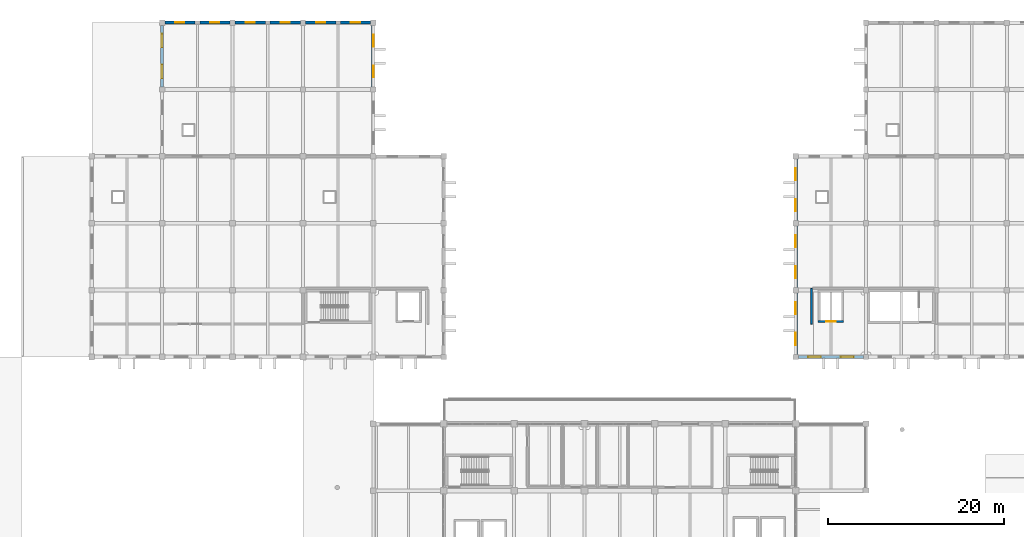
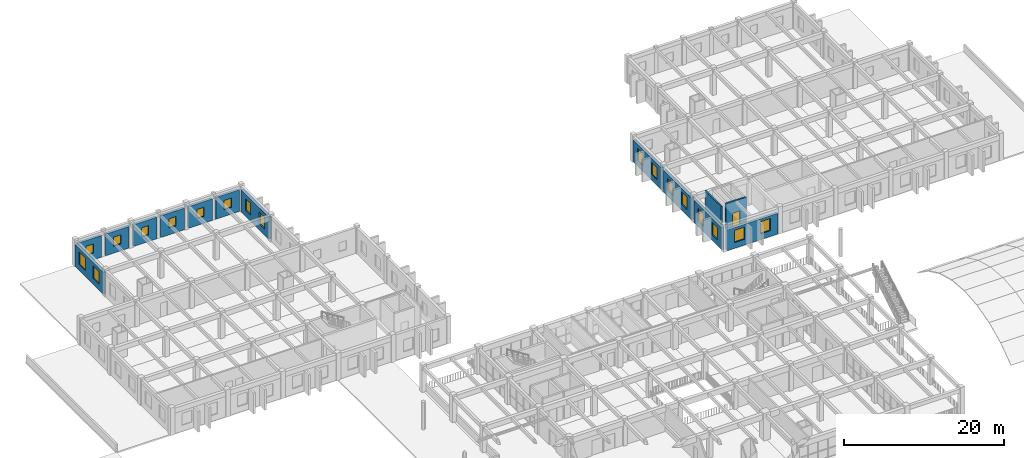
# One storey, part 40 of 63: 18 windows, 14 walls, 1 door, 19 openings.
"""IFC4 building model written with IfcOpenShell, lengths in metres."""

from ifc_helpers import new_model, si_unit, direction, frame, frame_2d, origin, place, context, subcontext, project, spatial, rectangle, extrude, material, layer, layer_set, type_object, element, fill, save


model = new_model("IFC4")

# Units and contexts
model_context = context("Model", 3, precision=1e-05, world=origin(), true_north=direction((0.0, 1.0)))
body_context = subcontext(model_context, "Body", "Model", "MODEL_VIEW")
ifc_project = project(units=[si_unit("LENGTHUNIT", "METRE"), si_unit("AREAUNIT", "SQUARE_METRE"), si_unit("VOLUMEUNIT", "CUBIC_METRE"), si_unit("PLANEANGLEUNIT", "RADIAN"), si_unit("MASSUNIT", "GRAM", prefix="KILO")], contexts=[model_context])

# Site, building, storey
site_placement = place(None, origin())
site = spatial("IfcSite", under=ifc_project, at=site_placement, CompositionType="ELEMENT")
building_placement = place(site_placement, origin())
building = spatial("IfcBuilding", under=site, at=building_placement, Name="Zantavel Square City Hall", CompositionType="ELEMENT")
storey_placement = place(building_placement, frame((0.0, 0.0, 14.699951171875)))
storey = spatial("IfcBuildingStorey", under=building, at=storey_placement, Name="L04", CompositionType="ELEMENT", Elevation=14.699951171875)

# Wall, openings, windows
ifc_material_1 = material(Name="Cantera volcanic tuff stone", Category="masonry")
ifc_layer_1 = layer(ifc_material_1, 0.360107421875, Name="Cantera volcanic tuff stone")
ifc_layer_set_1 = layer_set([ifc_layer_1], Name="Cantera volcanic tuff stone")
wall_type_1 = type_object("IfcWallType", Name="Courtyard Cantera Facade Wall 360mm", PredefinedType="STANDARD", material=ifc_layer_set_1)
wall_1_placement = place(storey_placement, frame((32.0, 106.699951171875, 0.0), z_axis=(0.0, 0.0, 1.0), x_axis=(0.0, 1.0, 0.0)))
wall_1 = element("IfcWall", 1, at=wall_1_placement, inside=storey, type_object=wall_type_1, Name="L04 Exterior Wall EW-L04-022", PredefinedType="STANDARD", context=body_context, shape_type="SweptSolid", body=[
    extrude(rectangle(XDim=7.0, YDim=0.360107421875, at=frame_2d((3.5, 0.0))), origin(), (0.0, 0.0, 1.0), 3.3701171875),
])
opening_1_placement = place(wall_1_placement, frame((0.97509765625, 0.0, 0.89990234375)))
opening_1 = element("IfcOpeningElement", 2, at=opening_1_placement, cuts=wall_1, Name="Opening W-428", PredefinedType="OPENING", context=body_context, shape_type="SweptSolid", body=[
    extrude(rectangle(XDim=1.550048828125, YDim=1.949951171875, at=frame_2d((0.77490234375, 0.97509765625))), frame((0.0, 0.18994140625, 0.0), z_axis=(0.0, -1.0, 0.0), x_axis=(1.0, 0.0, 0.0)), (0.0, 0.0, 1.0), 0.380126953125),
])
opening_2_placement = place(wall_1_placement, frame((4.47509765625, 0.0, 0.89990234375)))
opening_2 = element("IfcOpeningElement", 3, at=opening_2_placement, cuts=wall_1, Name="Opening W-429", PredefinedType="OPENING", context=body_context, shape_type="SweptSolid", body=[
    extrude(rectangle(XDim=1.550048828125, YDim=1.949951171875, at=frame_2d((0.77490234375, 0.97509765625))), frame((0.0, 0.18994140625, 0.0), z_axis=(0.0, -1.0, 0.0), x_axis=(1.0, 0.0, 0.0)), (0.0, 0.0, 1.0), 0.380126953125),
])
ifc_material_2 = material(Name="Tempered safety glass low-E double glazing", Category="glass")
window_type_1 = type_object("IfcWindowType", Name="Window Committee Suite 1550x1950", PartitioningType="DOUBLE_PANEL_VERTICAL", PredefinedType="WINDOW", material=ifc_material_2)
window_1_placement = place(opening_1_placement, origin())
window_1 = element("IfcWindow", 4, at=window_1_placement, inside=storey, type_object=window_type_1, Name="L04 Window W-428", OverallHeight=1.949951171875, OverallWidth=1.550048828125, PartitioningType="DOUBLE_PANEL_VERTICAL", PredefinedType="WINDOW", context=body_context, shape_type="SweptSolid", body=[
    extrude(rectangle(XDim=1.550048828125, YDim=1.949951171875, at=frame_2d((0.77490234375, 0.97509765625))), frame((0.0, 0.030029296875, 0.0), z_axis=(0.0, -1.0, 0.0), x_axis=(1.0, 0.0, 0.0)), (0.0, 0.0, 1.0), 0.06005859375),
])
fill(opening_1, window_1)
window_2_placement = place(opening_2_placement, origin())
window_2 = element("IfcWindow", 5, at=window_2_placement, inside=storey, type_object=window_type_1, Name="L04 Window W-429", OverallHeight=1.949951171875, OverallWidth=1.550048828125, PartitioningType="DOUBLE_PANEL_VERTICAL", PredefinedType="WINDOW", context=body_context, shape_type="SweptSolid", body=[
    extrude(rectangle(XDim=1.550048828125, YDim=1.949951171875, at=frame_2d((0.77490234375, 0.97509765625))), frame((0.0, 0.030029296875, 0.0), z_axis=(0.0, -1.0, 0.0), x_axis=(1.0, 0.0, 0.0)), (0.0, 0.0, 1.0), 0.06005859375),
])
fill(opening_2, window_2)

wall_2_placement = place(storey_placement, frame((56.0, 113.699951171875, 0.0), z_axis=(0.0, 0.0, 1.0), x_axis=(0.0, -1.0, 0.0)))
wall_2 = element("IfcWall", 6, at=wall_2_placement, inside=storey, type_object=wall_type_1, Name="L04 Exterior Wall EW-L04-029", PredefinedType="STANDARD", context=body_context, shape_type="SweptSolid", body=[
    extrude(rectangle(XDim=7.0, YDim=0.360107421875, at=frame_2d((3.5, 0.0))), origin(), (0.0, 0.0, 1.0), 3.3701171875),
])
opening_3_placement = place(wall_2_placement, frame((1.074951171875, 0.0, 0.89990234375)))
opening_3 = element("IfcOpeningElement", 7, at=opening_3_placement, cuts=wall_2, Name="Opening W-436", PredefinedType="OPENING", context=body_context, shape_type="SweptSolid", body=[
    extrude(rectangle(XDim=1.35009765625, YDim=1.800048828125, at=frame_2d((0.675048828125, 0.89990234375))), frame((0.0, 0.18994140625, 0.0), z_axis=(0.0, -1.0, 0.0), x_axis=(1.0, 0.0, 0.0)), (0.0, 0.0, 1.0), 0.380126953125),
])
opening_4_placement = place(wall_2_placement, frame((4.574951171875, 0.0, 0.89990234375)))
opening_4 = element("IfcOpeningElement", 8, at=opening_4_placement, cuts=wall_2, Name="Opening W-437", PredefinedType="OPENING", context=body_context, shape_type="SweptSolid", body=[
    extrude(rectangle(XDim=1.35009765625, YDim=1.800048828125, at=frame_2d((0.675048828125, 0.89990234375))), frame((0.0, 0.18994140625, 0.0), z_axis=(0.0, -1.0, 0.0), x_axis=(1.0, 0.0, 0.0)), (0.0, 0.0, 1.0), 0.380126953125),
])
window_type_2 = type_object("IfcWindowType", Name="Window Comptroller East 1350x1800", PartitioningType="DOUBLE_PANEL_HORIZONTAL", PredefinedType="WINDOW", material=ifc_material_2)
window_3_placement = place(opening_3_placement, origin())
window_3 = element("IfcWindow", 9, at=window_3_placement, inside=storey, type_object=window_type_2, Name="L04 Window W-436", OverallHeight=1.800048828125, OverallWidth=1.35009765625, PartitioningType="DOUBLE_PANEL_HORIZONTAL", PredefinedType="WINDOW", context=body_context, shape_type="SweptSolid", body=[
    extrude(rectangle(XDim=1.35009765625, YDim=1.800048828125, at=frame_2d((0.675048828125, 0.89990234375))), frame((0.0, 0.030029296875, 0.0), z_axis=(0.0, -1.0, 0.0), x_axis=(1.0, 0.0, 0.0)), (0.0, 0.0, 1.0), 0.06005859375),
])
fill(opening_3, window_3)
window_4_placement = place(opening_4_placement, origin())
window_4 = element("IfcWindow", 10, at=window_4_placement, inside=storey, type_object=window_type_2, Name="L04 Window W-437", OverallHeight=1.800048828125, OverallWidth=1.35009765625, PartitioningType="DOUBLE_PANEL_HORIZONTAL", PredefinedType="WINDOW", context=body_context, shape_type="SweptSolid", body=[
    extrude(rectangle(XDim=1.35009765625, YDim=1.800048828125, at=frame_2d((0.675048828125, 0.89990234375))), frame((0.0, 0.030029296875, 0.0), z_axis=(0.0, -1.0, 0.0), x_axis=(1.0, 0.0, 0.0)), (0.0, 0.0, 1.0), 0.06005859375),
])
fill(opening_4, window_4)

wall_3_placement = place(storey_placement, frame((111.699951171875, 76.0, 0.0), z_axis=(0.0, 0.0, 1.0), x_axis=(-1.0, 0.0, 0.0)))
wall_3 = element("IfcWall", 11, at=wall_3_placement, inside=storey, type_object=wall_type_1, Name="L04 Exterior Wall EW-L04-061", PredefinedType="STANDARD", context=body_context, shape_type="SweptSolid", body=[
    extrude(rectangle(XDim=7.39990234375, YDim=0.360107421875, at=frame_2d((3.699951171875, 0.0))), origin(), (0.0, 0.0, 1.0), 3.170166015625),
])
opening_5_placement = place(wall_3_placement, frame((1.125, 0.0, 0.89990234375)))
opening_5 = element("IfcOpeningElement", 12, at=opening_5_placement, cuts=wall_3, Name="Opening W-496", PredefinedType="OPENING", context=body_context, shape_type="SweptSolid", body=[
    extrude(rectangle(XDim=1.449951171875, YDim=1.85009765625, at=frame_2d((0.72509765625, 0.925048828125))), frame((0.0, 0.18994140625, 0.0), z_axis=(0.0, -1.0, 0.0), x_axis=(1.0, 0.0, 0.0)), (0.0, 0.0, 1.0), 0.380126953125),
])
opening_6_placement = place(wall_3_placement, frame((4.824951171875, 0.0, 0.89990234375)))
opening_6 = element("IfcOpeningElement", 13, at=opening_6_placement, cuts=wall_3, Name="Opening W-497", PredefinedType="OPENING", context=body_context, shape_type="SweptSolid", body=[
    extrude(rectangle(XDim=1.449951171875, YDim=1.85009765625, at=frame_2d((0.72509765625, 0.925048828125))), frame((0.0, 0.18994140625, 0.0), z_axis=(0.0, -1.0, 0.0), x_axis=(1.0, 0.0, 0.0)), (0.0, 0.0, 1.0), 0.380126953125),
])
window_type_3 = type_object("IfcWindowType", Name="Window Secretariat South 1450x1850", PartitioningType="DOUBLE_PANEL_VERTICAL", PredefinedType="WINDOW", material=ifc_material_2)
window_5_placement = place(opening_5_placement, origin())
window_5 = element("IfcWindow", 14, at=window_5_placement, inside=storey, type_object=window_type_3, Name="L04 Window W-496", OverallHeight=1.85009765625, OverallWidth=1.449951171875, PartitioningType="DOUBLE_PANEL_VERTICAL", PredefinedType="WINDOW", context=body_context, shape_type="SweptSolid", body=[
    extrude(rectangle(XDim=1.449951171875, YDim=1.85009765625, at=frame_2d((0.72509765625, 0.925048828125))), frame((0.0, 0.030029296875, 0.0), z_axis=(0.0, -1.0, 0.0), x_axis=(1.0, 0.0, 0.0)), (0.0, 0.0, 1.0), 0.06005859375),
])
fill(opening_5, window_5)
window_6_placement = place(opening_6_placement, origin())
window_6 = element("IfcWindow", 15, at=window_6_placement, inside=storey, type_object=window_type_3, Name="L04 Window W-497", OverallHeight=1.85009765625, OverallWidth=1.449951171875, PartitioningType="DOUBLE_PANEL_VERTICAL", PredefinedType="WINDOW", context=body_context, shape_type="SweptSolid", body=[
    extrude(rectangle(XDim=1.449951171875, YDim=1.85009765625, at=frame_2d((0.72509765625, 0.925048828125))), frame((0.0, 0.030029296875, 0.0), z_axis=(0.0, -1.0, 0.0), x_axis=(1.0, 0.0, 0.0)), (0.0, 0.0, 1.0), 0.06005859375),
])
fill(opening_6, window_6)

wall_4_placement = place(storey_placement, frame((104.0, 76.300048828125, 0.0), z_axis=(0.0, 0.0, 1.0), x_axis=(0.0, 1.0, 0.0)))
wall_4 = element("IfcWall", 16, at=wall_4_placement, inside=storey, type_object=wall_type_1, Name="L04 Exterior Wall EW-L04-062", PredefinedType="STANDARD", context=body_context, shape_type="SweptSolid", body=[
    extrude(rectangle(XDim=7.0, YDim=0.360107421875, at=frame_2d((3.5, 0.0))), origin(), (0.0, 0.0, 1.0), 3.3701171875),
])
opening_7_placement = place(wall_4_placement, frame((1.06005859375, 0.0, 0.89990234375)))
opening_7 = element("IfcOpeningElement", 17, at=opening_7_placement, cuts=wall_4, Name="Opening W-498", PredefinedType="OPENING", context=body_context, shape_type="SweptSolid", body=[
    extrude(rectangle(XDim=1.3798828125, YDim=1.8798828125, at=frame_2d((0.68994140625, 0.93994140625))), frame((0.0, 0.18994140625, 0.0), z_axis=(0.0, -1.0, 0.0), x_axis=(1.0, 0.0, 0.0)), (0.0, 0.0, 1.0), 0.380126953125),
])
opening_8_placement = place(wall_4_placement, frame((4.56005859375, 0.0, 0.89990234375)))
opening_8 = element("IfcOpeningElement", 18, at=opening_8_placement, cuts=wall_4, Name="Opening W-499", PredefinedType="OPENING", context=body_context, shape_type="SweptSolid", body=[
    extrude(rectangle(XDim=1.3798828125, YDim=1.8798828125, at=frame_2d((0.68994140625, 0.93994140625))), frame((0.0, 0.18994140625, 0.0), z_axis=(0.0, -1.0, 0.0), x_axis=(1.0, 0.0, 0.0)), (0.0, 0.0, 1.0), 0.380126953125),
])
window_type_4 = type_object("IfcWindowType", Name="Window Legal Counsel 1380x1880", PartitioningType="DOUBLE_PANEL_VERTICAL", PredefinedType="WINDOW", material=ifc_material_2)
window_7_placement = place(opening_7_placement, origin())
window_7 = element("IfcWindow", 19, at=window_7_placement, inside=storey, type_object=window_type_4, Name="L04 Window W-498", OverallHeight=1.8798828125, OverallWidth=1.3798828125, PartitioningType="DOUBLE_PANEL_VERTICAL", PredefinedType="WINDOW", context=body_context, shape_type="SweptSolid", body=[
    extrude(rectangle(XDim=1.3798828125, YDim=1.8798828125, at=frame_2d((0.68994140625, 0.93994140625))), frame((0.0, 0.030029296875, 0.0), z_axis=(0.0, -1.0, 0.0), x_axis=(1.0, 0.0, 0.0)), (0.0, 0.0, 1.0), 0.06005859375),
])
fill(opening_7, window_7)
window_8_placement = place(opening_8_placement, origin())
window_8 = element("IfcWindow", 20, at=window_8_placement, inside=storey, type_object=window_type_4, Name="L04 Window W-499", OverallHeight=1.8798828125, OverallWidth=1.3798828125, PartitioningType="DOUBLE_PANEL_VERTICAL", PredefinedType="WINDOW", context=body_context, shape_type="SweptSolid", body=[
    extrude(rectangle(XDim=1.3798828125, YDim=1.8798828125, at=frame_2d((0.68994140625, 0.93994140625))), frame((0.0, 0.030029296875, 0.0), z_axis=(0.0, -1.0, 0.0), x_axis=(1.0, 0.0, 0.0)), (0.0, 0.0, 1.0), 0.06005859375),
])
fill(opening_8, window_8)

wall_5_placement = place(storey_placement, frame((104.0, 83.89990234375, 0.0), z_axis=(0.0, 0.0, 1.0), x_axis=(0.0, 1.0, 0.0)))
wall_5 = element("IfcWall", 21, at=wall_5_placement, inside=storey, type_object=wall_type_1, Name="L04 Exterior Wall EW-L04-063", PredefinedType="STANDARD", context=body_context, shape_type="SweptSolid", body=[
    extrude(rectangle(XDim=7.0, YDim=0.360107421875, at=frame_2d((3.5, 0.0))), origin(), (0.0, 0.0, 1.0), 3.3701171875),
])
opening_9_placement = place(wall_5_placement, frame((1.06005859375, 0.0, 0.89990234375)))
opening_9 = element("IfcOpeningElement", 22, at=opening_9_placement, cuts=wall_5, Name="Opening W-500", PredefinedType="OPENING", context=body_context, shape_type="SweptSolid", body=[
    extrude(rectangle(XDim=1.3798828125, YDim=1.8798828125, at=frame_2d((0.68994140625, 0.93994140625))), frame((0.0, 0.18994140625, 0.0), z_axis=(0.0, -1.0, 0.0), x_axis=(1.0, 0.0, 0.0)), (0.0, 0.0, 1.0), 0.380126953125),
])
opening_10_placement = place(wall_5_placement, frame((4.56005859375, 0.0, 0.89990234375)))
opening_10 = element("IfcOpeningElement", 23, at=opening_10_placement, cuts=wall_5, Name="Opening W-501", PredefinedType="OPENING", context=body_context, shape_type="SweptSolid", body=[
    extrude(rectangle(XDim=1.3798828125, YDim=1.8798828125, at=frame_2d((0.68994140625, 0.93994140625))), frame((0.0, 0.18994140625, 0.0), z_axis=(0.0, -1.0, 0.0), x_axis=(1.0, 0.0, 0.0)), (0.0, 0.0, 1.0), 0.380126953125),
])
window_9_placement = place(opening_9_placement, origin())
window_9 = element("IfcWindow", 24, at=window_9_placement, inside=storey, type_object=window_type_4, Name="L04 Window W-500", OverallHeight=1.8798828125, OverallWidth=1.3798828125, PartitioningType="DOUBLE_PANEL_VERTICAL", PredefinedType="WINDOW", context=body_context, shape_type="SweptSolid", body=[
    extrude(rectangle(XDim=1.3798828125, YDim=1.8798828125, at=frame_2d((0.68994140625, 0.93994140625))), frame((0.0, 0.030029296875, 0.0), z_axis=(0.0, -1.0, 0.0), x_axis=(1.0, 0.0, 0.0)), (0.0, 0.0, 1.0), 0.06005859375),
])
fill(opening_9, window_9)
window_10_placement = place(opening_10_placement, origin())
window_10 = element("IfcWindow", 25, at=window_10_placement, inside=storey, type_object=window_type_4, Name="L04 Window W-501", OverallHeight=1.8798828125, OverallWidth=1.3798828125, PartitioningType="DOUBLE_PANEL_VERTICAL", PredefinedType="WINDOW", context=body_context, shape_type="SweptSolid", body=[
    extrude(rectangle(XDim=1.3798828125, YDim=1.8798828125, at=frame_2d((0.68994140625, 0.93994140625))), frame((0.0, 0.030029296875, 0.0), z_axis=(0.0, -1.0, 0.0), x_axis=(1.0, 0.0, 0.0)), (0.0, 0.0, 1.0), 0.06005859375),
])
fill(opening_10, window_10)

wall_6_placement = place(storey_placement, frame((104.0, 91.5, 0.0), z_axis=(0.0, 0.0, 1.0), x_axis=(0.0, 1.0, 0.0)))
wall_6 = element("IfcWall", 26, at=wall_6_placement, inside=storey, type_object=wall_type_1, Name="L04 Exterior Wall EW-L04-064", PredefinedType="STANDARD", context=body_context, shape_type="SweptSolid", body=[
    extrude(rectangle(XDim=7.0, YDim=0.360107421875, at=frame_2d((3.5, 0.0))), origin(), (0.0, 0.0, 1.0), 3.3701171875),
])
opening_11_placement = place(wall_6_placement, frame((1.06005859375, 0.0, 0.89990234375)))
opening_11 = element("IfcOpeningElement", 27, at=opening_11_placement, cuts=wall_6, Name="Opening W-502", PredefinedType="OPENING", context=body_context, shape_type="SweptSolid", body=[
    extrude(rectangle(XDim=1.3798828125, YDim=1.8798828125, at=frame_2d((0.68994140625, 0.93994140625))), frame((0.0, 0.18994140625, 0.0), z_axis=(0.0, -1.0, 0.0), x_axis=(1.0, 0.0, 0.0)), (0.0, 0.0, 1.0), 0.380126953125),
])
opening_12_placement = place(wall_6_placement, frame((4.56005859375, 0.0, 0.89990234375)))
opening_12 = element("IfcOpeningElement", 28, at=opening_12_placement, cuts=wall_6, Name="Opening W-503", PredefinedType="OPENING", context=body_context, shape_type="SweptSolid", body=[
    extrude(rectangle(XDim=1.3798828125, YDim=1.8798828125, at=frame_2d((0.68994140625, 0.93994140625))), frame((0.0, 0.18994140625, 0.0), z_axis=(0.0, -1.0, 0.0), x_axis=(1.0, 0.0, 0.0)), (0.0, 0.0, 1.0), 0.380126953125),
])
window_11_placement = place(opening_11_placement, origin())
window_11 = element("IfcWindow", 29, at=window_11_placement, inside=storey, type_object=window_type_4, Name="L04 Window W-502", OverallHeight=1.8798828125, OverallWidth=1.3798828125, PartitioningType="DOUBLE_PANEL_VERTICAL", PredefinedType="WINDOW", context=body_context, shape_type="SweptSolid", body=[
    extrude(rectangle(XDim=1.3798828125, YDim=1.8798828125, at=frame_2d((0.68994140625, 0.93994140625))), frame((0.0, 0.030029296875, 0.0), z_axis=(0.0, -1.0, 0.0), x_axis=(1.0, 0.0, 0.0)), (0.0, 0.0, 1.0), 0.06005859375),
])
fill(opening_11, window_11)
window_12_placement = place(opening_12_placement, origin())
window_12 = element("IfcWindow", 30, at=window_12_placement, inside=storey, type_object=window_type_4, Name="L04 Window W-503", OverallHeight=1.8798828125, OverallWidth=1.3798828125, PartitioningType="DOUBLE_PANEL_VERTICAL", PredefinedType="WINDOW", context=body_context, shape_type="SweptSolid", body=[
    extrude(rectangle(XDim=1.3798828125, YDim=1.8798828125, at=frame_2d((0.68994140625, 0.93994140625))), frame((0.0, 0.030029296875, 0.0), z_axis=(0.0, -1.0, 0.0), x_axis=(1.0, 0.0, 0.0)), (0.0, 0.0, 1.0), 0.06005859375),
])
fill(opening_12, window_12)

# Wall
ifc_layer_2 = layer(ifc_material_1, 0.199951171875, Name="Cantera volcanic tuff stone")
ifc_layer_set_2 = layer_set([ifc_layer_2], Name="Cantera volcanic tuff stone")
wall_type_2 = type_object("IfcWallType", Name="Exit Corridor Rated Wall 200mm", PredefinedType="STANDARD", material=ifc_layer_set_2)
wall_7_placement = place(storey_placement, frame((105.800048828125, 79.75, 0.0), z_axis=(0.0, 0.0, 1.0), x_axis=(0.0, 1.0, 0.0)))
element("IfcWall", 31, at=wall_7_placement, inside=storey, type_object=wall_type_2, Name="L04 Interior Wall IW-L04-0302", PredefinedType="STANDARD", context=body_context, shape_type="SweptSolid", body=[
    extrude(rectangle(XDim=4.050048828125, YDim=0.199951171875, at=frame_2d((2.02490234375, 0.0))), origin(), (0.0, 0.0, 1.0), 3.929931640625),
])

# Wall, opening, door
ifc_material_3 = material(Name="Concrete C40/50", Category="concrete")
ifc_layer_3 = layer(ifc_material_3, 0.25, Name="Concrete C40/50")
ifc_layer_set_3 = layer_set([ifc_layer_3], Name="Concrete C40/50")
wall_type_3 = type_object("IfcWallType", Name="Lift Shaft Wall RC 250mm C40/50", PredefinedType="SHEAR", material=ifc_layer_set_3)
wall_8_placement = place(storey_placement, frame((109.449951171875, 80.02490234375, 0.0), z_axis=(0.0, 0.0, 1.0), x_axis=(-1.0, 0.0, 0.0)))
wall_8 = element("IfcWall", 32, at=wall_8_placement, inside=storey, type_object=wall_type_3, Name="L04 Lift LF06 Shaft Wall South", PredefinedType="SHEAR", context=body_context, shape_type="SweptSolid", body=[
    extrude(rectangle(XDim=2.89990234375, YDim=0.25, at=frame_2d((1.449951171875, 0.0))), origin(), (0.0, 0.0, 1.0), 3.929931640625),
])
opening_13_placement = place(wall_8_placement, frame((0.89990234375, 0.0, 0.0)))
opening_13 = element("IfcOpeningElement", 33, at=opening_13_placement, cuts=wall_8, Name="Opening LD-LF06-L04", PredefinedType="OPENING", context=body_context, shape_type="SweptSolid", body=[
    extrude(rectangle(XDim=1.10009765625, YDim=2.14990234375, at=frame_2d((0.550048828125, 1.074951171875))), frame((0.0, 0.135009765625, 0.0), z_axis=(0.0, -1.0, 0.0), x_axis=(1.0, 0.0, 0.0)), (0.0, 0.0, 1.0), 0.27001953125),
])
ifc_material_4 = material(Name="Stainless steel 316", Category="steel")
door_type = type_object("IfcDoorType", Name="Lift Landing Sliding Door 1100x2150 FD90S", OperationType="NOTDEFINED", PredefinedType="DOOR", material=ifc_material_4)
door_placement = place(opening_13_placement, origin())
door = element("IfcDoor", 34, at=door_placement, inside=storey, type_object=door_type, Name="L04 Lift LF06 Sliding Landing Door", OperationType="DOUBLE_DOOR_SLIDING", OverallHeight=2.14990234375, OverallWidth=1.10009765625, PredefinedType="DOOR", context=body_context, shape_type="SweptSolid", body=[
    extrude(rectangle(XDim=1.10009765625, YDim=2.14990234375, at=frame_2d((0.550048828125, 1.074951171875))), frame((0.0, 0.02490234375, 0.0), z_axis=(0.0, -1.0, 0.0), x_axis=(1.0, 0.0, 0.0)), (0.0, 0.0, 1.0), 0.050048828125),
])
fill(opening_13, door)

# Wall, opening, window
ifc_layer_4 = layer(ifc_material_1, 0.340087890625, Name="Cantera volcanic tuff stone")
ifc_layer_set_4 = layer_set([ifc_layer_4], Name="Cantera volcanic tuff stone")
wall_type_4 = type_object("IfcWallType", Name="North Insulated Cantera Wall 340mm", PredefinedType="STANDARD", material=ifc_layer_set_4)
wall_9_placement = place(storey_placement, frame((32.300048828125, 114.0, 0.0), z_axis=(0.0, 0.0, 1.0), x_axis=(1.0, 0.0, 0.0)))
wall_9 = element("IfcWall", 35, at=wall_9_placement, inside=storey, type_object=wall_type_4, Name="L04 Exterior Wall EW-L04-023", PredefinedType="STANDARD", context=body_context, shape_type="SweptSolid", body=[
    extrude(rectangle(XDim=3.425048828125, YDim=0.340087890625, at=frame_2d((1.71240234375, 0.0))), origin(), (0.0, 0.0, 1.0), 3.320068359375),
])
opening_14_placement = place(wall_9_placement, frame((1.1875, 0.0, 1.050048828125)))
opening_14 = element("IfcOpeningElement", 36, at=opening_14_placement, cuts=wall_9, Name="Opening W-430", PredefinedType="OPENING", context=body_context, shape_type="SweptSolid", body=[
    extrude(rectangle(XDim=1.050048828125, YDim=1.39990234375, at=frame_2d((0.52490234375, 0.699951171875))), frame((0.0, 0.179931640625, 0.0), z_axis=(0.0, -1.0, 0.0), x_axis=(1.0, 0.0, 0.0)), (0.0, 0.0, 1.0), 0.360107421875),
])
window_type_5 = type_object("IfcWindowType", Name="Window C4 Command North 1050x1400", PartitioningType="SINGLE_PANEL", PredefinedType="WINDOW", material=ifc_material_2)
window_13_placement = place(opening_14_placement, origin())
window_13 = element("IfcWindow", 37, at=window_13_placement, inside=storey, type_object=window_type_5, Name="L04 Window W-430", OverallHeight=1.39990234375, OverallWidth=1.050048828125, PartitioningType="SINGLE_PANEL", PredefinedType="WINDOW", context=body_context, shape_type="SweptSolid", body=[
    extrude(rectangle(XDim=1.050048828125, YDim=1.39990234375, at=frame_2d((0.52490234375, 0.699951171875))), frame((0.0, 0.030029296875, 0.0), z_axis=(0.0, -1.0, 0.0), x_axis=(1.0, 0.0, 0.0)), (0.0, 0.0, 1.0), 0.06005859375),
])
fill(opening_14, window_13)

wall_10_placement = place(storey_placement, frame((36.27490234375, 114.0, 0.0), z_axis=(0.0, 0.0, 1.0), x_axis=(1.0, 0.0, 0.0)))
wall_10 = element("IfcWall", 38, at=wall_10_placement, inside=storey, type_object=wall_type_4, Name="L04 Exterior Wall EW-L04-024", PredefinedType="STANDARD", context=body_context, shape_type="SweptSolid", body=[
    extrude(rectangle(XDim=3.425048828125, YDim=0.340087890625, at=frame_2d((1.71240234375, 0.0))), origin(), (0.0, 0.0, 1.0), 3.320068359375),
])
opening_15_placement = place(wall_10_placement, frame((1.1875, 0.0, 1.050048828125)))
opening_15 = element("IfcOpeningElement", 39, at=opening_15_placement, cuts=wall_10, Name="Opening W-431", PredefinedType="OPENING", context=body_context, shape_type="SweptSolid", body=[
    extrude(rectangle(XDim=1.050048828125, YDim=1.39990234375, at=frame_2d((0.52490234375, 0.699951171875))), frame((0.0, 0.179931640625, 0.0), z_axis=(0.0, -1.0, 0.0), x_axis=(1.0, 0.0, 0.0)), (0.0, 0.0, 1.0), 0.360107421875),
])
window_14_placement = place(opening_15_placement, origin())
window_14 = element("IfcWindow", 40, at=window_14_placement, inside=storey, type_object=window_type_5, Name="L04 Window W-431", OverallHeight=1.39990234375, OverallWidth=1.050048828125, PartitioningType="SINGLE_PANEL", PredefinedType="WINDOW", context=body_context, shape_type="SweptSolid", body=[
    extrude(rectangle(XDim=1.050048828125, YDim=1.39990234375, at=frame_2d((0.52490234375, 0.699951171875))), frame((0.0, 0.030029296875, 0.0), z_axis=(0.0, -1.0, 0.0), x_axis=(1.0, 0.0, 0.0)), (0.0, 0.0, 1.0), 0.06005859375),
])
fill(opening_15, window_14)

wall_11_placement = place(storey_placement, frame((40.300048828125, 114.0, 0.0), z_axis=(0.0, 0.0, 1.0), x_axis=(1.0, 0.0, 0.0)))
wall_11 = element("IfcWall", 41, at=wall_11_placement, inside=storey, type_object=wall_type_4, Name="L04 Exterior Wall EW-L04-025", PredefinedType="STANDARD", context=body_context, shape_type="SweptSolid", body=[
    extrude(rectangle(XDim=3.425048828125, YDim=0.340087890625, at=frame_2d((1.71240234375, 0.0))), origin(), (0.0, 0.0, 1.0), 3.320068359375),
])
opening_16_placement = place(wall_11_placement, frame((1.1875, 0.0, 1.050048828125)))
opening_16 = element("IfcOpeningElement", 42, at=opening_16_placement, cuts=wall_11, Name="Opening W-432", PredefinedType="OPENING", context=body_context, shape_type="SweptSolid", body=[
    extrude(rectangle(XDim=1.050048828125, YDim=1.39990234375, at=frame_2d((0.52490234375, 0.699951171875))), frame((0.0, 0.179931640625, 0.0), z_axis=(0.0, -1.0, 0.0), x_axis=(1.0, 0.0, 0.0)), (0.0, 0.0, 1.0), 0.360107421875),
])
window_15_placement = place(opening_16_placement, origin())
window_15 = element("IfcWindow", 43, at=window_15_placement, inside=storey, type_object=window_type_5, Name="L04 Window W-432", OverallHeight=1.39990234375, OverallWidth=1.050048828125, PartitioningType="SINGLE_PANEL", PredefinedType="WINDOW", context=body_context, shape_type="SweptSolid", body=[
    extrude(rectangle(XDim=1.050048828125, YDim=1.39990234375, at=frame_2d((0.52490234375, 0.699951171875))), frame((0.0, 0.030029296875, 0.0), z_axis=(0.0, -1.0, 0.0), x_axis=(1.0, 0.0, 0.0)), (0.0, 0.0, 1.0), 0.06005859375),
])
fill(opening_16, window_15)

wall_12_placement = place(storey_placement, frame((44.27490234375, 114.0, 0.0), z_axis=(0.0, 0.0, 1.0), x_axis=(1.0, 0.0, 0.0)))
wall_12 = element("IfcWall", 44, at=wall_12_placement, inside=storey, type_object=wall_type_4, Name="L04 Exterior Wall EW-L04-026", PredefinedType="STANDARD", context=body_context, shape_type="SweptSolid", body=[
    extrude(rectangle(XDim=3.425048828125, YDim=0.340087890625, at=frame_2d((1.71240234375, 0.0))), origin(), (0.0, 0.0, 1.0), 3.320068359375),
])
opening_17_placement = place(wall_12_placement, frame((1.1875, 0.0, 1.050048828125)))
opening_17 = element("IfcOpeningElement", 45, at=opening_17_placement, cuts=wall_12, Name="Opening W-433", PredefinedType="OPENING", context=body_context, shape_type="SweptSolid", body=[
    extrude(rectangle(XDim=1.050048828125, YDim=1.39990234375, at=frame_2d((0.52490234375, 0.699951171875))), frame((0.0, 0.179931640625, 0.0), z_axis=(0.0, -1.0, 0.0), x_axis=(1.0, 0.0, 0.0)), (0.0, 0.0, 1.0), 0.360107421875),
])
window_16_placement = place(opening_17_placement, origin())
window_16 = element("IfcWindow", 46, at=window_16_placement, inside=storey, type_object=window_type_5, Name="L04 Window W-433", OverallHeight=1.39990234375, OverallWidth=1.050048828125, PartitioningType="SINGLE_PANEL", PredefinedType="WINDOW", context=body_context, shape_type="SweptSolid", body=[
    extrude(rectangle(XDim=1.050048828125, YDim=1.39990234375, at=frame_2d((0.52490234375, 0.699951171875))), frame((0.0, 0.030029296875, 0.0), z_axis=(0.0, -1.0, 0.0), x_axis=(1.0, 0.0, 0.0)), (0.0, 0.0, 1.0), 0.06005859375),
])
fill(opening_17, window_16)

wall_13_placement = place(storey_placement, frame((48.300048828125, 114.0, 0.0), z_axis=(0.0, 0.0, 1.0), x_axis=(1.0, 0.0, 0.0)))
wall_13 = element("IfcWall", 47, at=wall_13_placement, inside=storey, type_object=wall_type_4, Name="L04 Exterior Wall EW-L04-027", PredefinedType="STANDARD", context=body_context, shape_type="SweptSolid", body=[
    extrude(rectangle(XDim=3.449951171875, YDim=0.340087890625, at=frame_2d((1.72509765625, 0.0))), origin(), (0.0, 0.0, 1.0), 3.320068359375),
])
opening_18_placement = place(wall_13_placement, frame((1.199951171875, 0.0, 1.050048828125)))
opening_18 = element("IfcOpeningElement", 48, at=opening_18_placement, cuts=wall_13, Name="Opening W-434", PredefinedType="OPENING", context=body_context, shape_type="SweptSolid", body=[
    extrude(rectangle(XDim=1.050048828125, YDim=1.39990234375, at=frame_2d((0.52490234375, 0.699951171875))), frame((0.0, 0.179931640625, 0.0), z_axis=(0.0, -1.0, 0.0), x_axis=(1.0, 0.0, 0.0)), (0.0, 0.0, 1.0), 0.360107421875),
])
window_17_placement = place(opening_18_placement, origin())
window_17 = element("IfcWindow", 49, at=window_17_placement, inside=storey, type_object=window_type_5, Name="L04 Window W-434", OverallHeight=1.39990234375, OverallWidth=1.050048828125, PartitioningType="SINGLE_PANEL", PredefinedType="WINDOW", context=body_context, shape_type="SweptSolid", body=[
    extrude(rectangle(XDim=1.050048828125, YDim=1.39990234375, at=frame_2d((0.52490234375, 0.699951171875))), frame((0.0, 0.030029296875, 0.0), z_axis=(0.0, -1.0, 0.0), x_axis=(1.0, 0.0, 0.0)), (0.0, 0.0, 1.0), 0.06005859375),
])
fill(opening_18, window_17)

wall_14_placement = place(storey_placement, frame((52.25, 114.0, 0.0), z_axis=(0.0, 0.0, 1.0), x_axis=(1.0, 0.0, 0.0)))
wall_14 = element("IfcWall", 50, at=wall_14_placement, inside=storey, type_object=wall_type_4, Name="L04 Exterior Wall EW-L04-028", PredefinedType="STANDARD", context=body_context, shape_type="SweptSolid", body=[
    extrude(rectangle(XDim=3.449951171875, YDim=0.340087890625, at=frame_2d((1.72509765625, 0.0))), origin(), (0.0, 0.0, 1.0), 3.320068359375),
])
opening_19_placement = place(wall_14_placement, frame((1.199951171875, 0.0, 1.050048828125)))
opening_19 = element("IfcOpeningElement", 51, at=opening_19_placement, cuts=wall_14, Name="Opening W-435", PredefinedType="OPENING", context=body_context, shape_type="SweptSolid", body=[
    extrude(rectangle(XDim=1.050048828125, YDim=1.39990234375, at=frame_2d((0.52490234375, 0.699951171875))), frame((0.0, 0.179931640625, 0.0), z_axis=(0.0, -1.0, 0.0), x_axis=(1.0, 0.0, 0.0)), (0.0, 0.0, 1.0), 0.360107421875),
])
window_18_placement = place(opening_19_placement, origin())
window_18 = element("IfcWindow", 52, at=window_18_placement, inside=storey, type_object=window_type_5, Name="L04 Window W-435", OverallHeight=1.39990234375, OverallWidth=1.050048828125, PartitioningType="SINGLE_PANEL", PredefinedType="WINDOW", context=body_context, shape_type="SweptSolid", body=[
    extrude(rectangle(XDim=1.050048828125, YDim=1.39990234375, at=frame_2d((0.52490234375, 0.699951171875))), frame((0.0, 0.030029296875, 0.0), z_axis=(0.0, -1.0, 0.0), x_axis=(1.0, 0.0, 0.0)), (0.0, 0.0, 1.0), 0.06005859375),
])
fill(opening_19, window_18)

save(model, "model.ifc")
